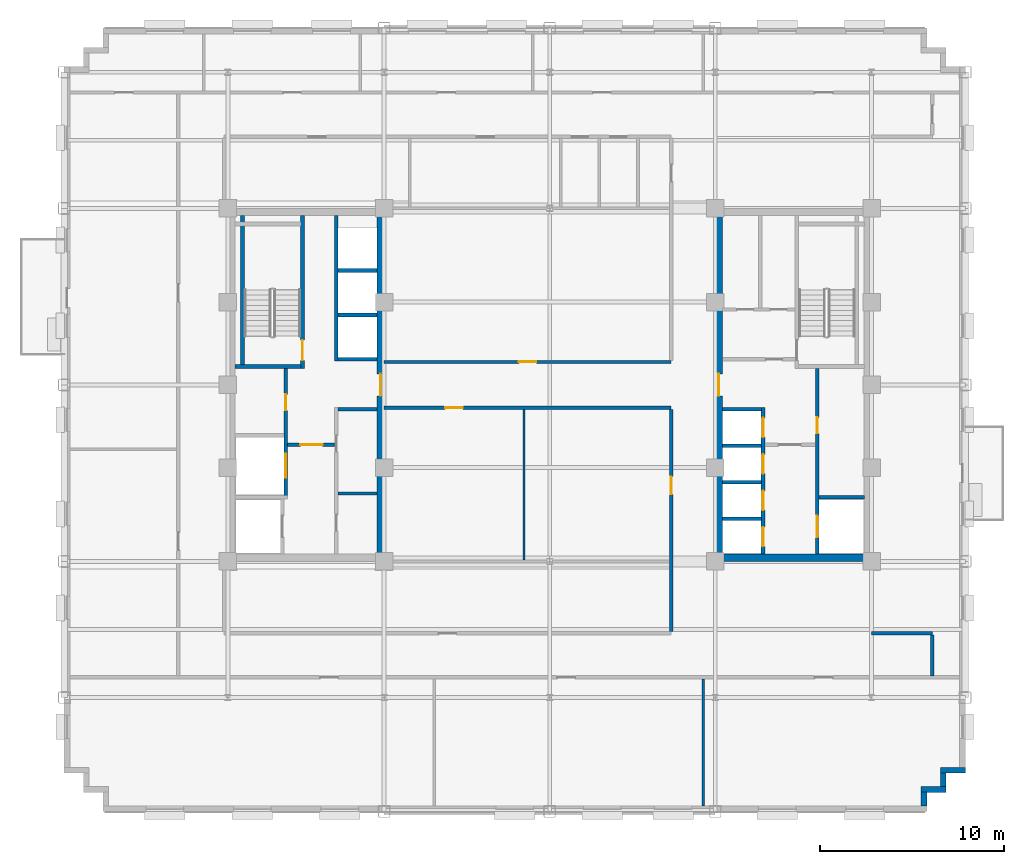
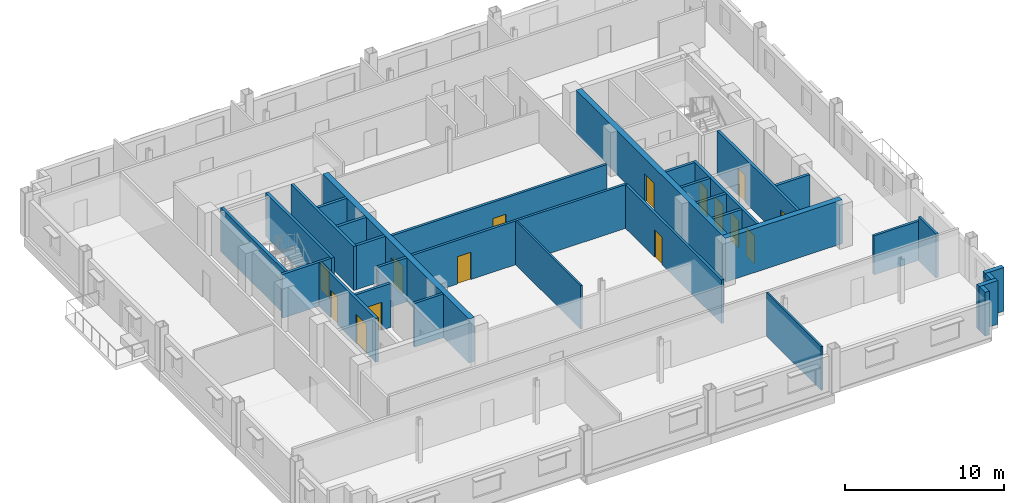
# One storey, part 8 of 14: 32 walls, 15 doors, 15 openings.
"""IFC4 building model written with IfcOpenShell, lengths in metres."""

import ifcopenshell
import ifcopenshell.guid

model = None  # the IFC model being written
_history = None  # IfcOwnerHistory: only IFC2X3 demands one
_inside = {}  # id of a spatial element -> (the spatial element, [elements in it])
_under = {}  # id of a project, library or spatial element -> (it, [spatial elements below it])
_declared = {}  # id of a project -> (the project, [libraries it declares])
_typed = {}  # id of a type object -> (the type object, [elements of that type])
_made_of = {}  # id of a material, layer set ... -> (it, [elements and type objects made of it])


def new_model(schema):
    """Start an empty IFC model of exactly this schema.

    Asked for "IFC4X3", IfcOpenShell would pick the latest addendum, in which some entities
    have other attributes; the version numbers below select the first issue.
    IFC2X3 requires an IfcOwnerHistory on every rooted entity: one is made here for all.
    """
    global model, _history
    if schema == "IFC4X3":
        model = ifcopenshell.file(schema_version=(4, 3, 0, 0))
    else:
        model = ifcopenshell.file(schema=schema)
    _inside.clear()
    _under.clear()
    _declared.clear()
    _typed.clear()
    _made_of.clear()
    _history = None
    if model.schema == "IFC2X3":
        org = make("IfcOrganization", Name="unknown")
        user = make(
            "IfcPersonAndOrganization",
            ThePerson=make("IfcPerson", FamilyName="unknown"),
            TheOrganization=org,
        )
        app = make(
            "IfcApplication",
            ApplicationDeveloper=org,
            Version="unknown",
            ApplicationFullName="unknown",
            ApplicationIdentifier="unknown",
        )
        _history = make(
            "IfcOwnerHistory",
            OwningUser=user,
            OwningApplication=app,
            ChangeAction="ADDED",
            CreationDate=0,
        )
    return model


def make(cls, **values):
    """One entity of the class cls with the attributes given. An attribute that is None is left unset."""
    return model.create_entity(
        cls, **{name: value for name, value in values.items() if value is not None}
    )


def rooted(cls, **values):
    """An entity with a GlobalId (a new one), such as an element, a storey or a relation."""
    return make(cls, GlobalId=ifcopenshell.guid.new(), OwnerHistory=_history, **values)


def si_unit(unit_type, name, prefix=None):
    """IfcSIUnit, for example si_unit("LENGTHUNIT", "METRE", prefix="MILLI")."""
    return make("IfcSIUnit", UnitType=unit_type, Prefix=prefix, Name=name)


def assignment(units):
    """IfcUnitAssignment: the units of a project."""
    return None if units is None else make("IfcUnitAssignment", Units=units)


def point(xyz):
    """IfcCartesianPoint."""
    return None if xyz is None else make("IfcCartesianPoint", Coordinates=xyz)


def direction(xyz):
    """IfcDirection."""
    return None if xyz is None else make("IfcDirection", DirectionRatios=xyz)


def frame(location, z_axis=None, x_axis=None):
    """IfcAxis2Placement3D, a coordinate frame: its origin and axes. An axis left out is left unset."""
    return make(
        "IfcAxis2Placement3D",
        Location=point(location),
        Axis=direction(z_axis),
        RefDirection=direction(x_axis),
    )


def frame_2d(location, x_axis=None):
    """IfcAxis2Placement2D, a coordinate frame in the plane: its origin and x axis."""
    return make(
        "IfcAxis2Placement2D", Location=point(location), RefDirection=direction(x_axis)
    )


def origin():
    """The frame at (0, 0, 0) with its axes left unset."""
    return frame((0.0, 0.0, 0.0))


def place(relative_to, where):
    """IfcLocalPlacement: puts the frame where relative to a parent placement (None: the world)."""
    return make(
        "IfcLocalPlacement", PlacementRelTo=relative_to, RelativePlacement=where
    )


def context(
    kind, dimensions, precision=None, world=None, true_north=None, identifier=None
):
    """IfcGeometricRepresentationContext, for example the 3D "Model" context."""
    return make(
        "IfcGeometricRepresentationContext",
        ContextIdentifier=identifier,
        ContextType=kind,
        CoordinateSpaceDimension=dimensions,
        Precision=precision,
        WorldCoordinateSystem=world,
        TrueNorth=true_north,
    )


def subcontext(parent, identifier, kind, view, scale=None):
    """IfcGeometricRepresentationSubContext, for example "Body" below "Model"."""
    return make(
        "IfcGeometricRepresentationSubContext",
        ContextIdentifier=identifier,
        ContextType=kind,
        ParentContext=parent,
        TargetScale=scale,
        TargetView=view,
    )


def project(units=None, contexts=None):
    """IfcProject with its units and contexts."""
    return rooted(
        "IfcProject",
        Name="project",
        RepresentationContexts=contexts,
        UnitsInContext=assignment(units),
    )


def spatial(cls, under=None, at=None, **own):
    """A site, building, storey or space (cls), placed at a placement, below another one or the project."""
    s = rooted(cls, ObjectPlacement=at, **own)
    if under is not None:
        _under.setdefault(under.id(), (under, []))[1].append(s)
    return s


def profile(cls, at=None, kind="AREA", **sizes):
    """A parametric profile (cls). Its sizes go by their IFC names, for example OverallWidth=200.0."""
    return make(cls, ProfileType=kind, Position=at, **sizes)


def rectangle(**sizes):
    """IfcRectangleProfileDef."""
    return profile("IfcRectangleProfileDef", **sizes)


def extrude(swept, where, along, depth):
    """IfcExtrudedAreaSolid: the profile swept, set in the frame where, extruded along a direction by depth."""
    return make(
        "IfcExtrudedAreaSolid",
        SweptArea=swept,
        Position=where,
        ExtrudedDirection=direction(along),
        Depth=depth,
    )


def shape(context_of_items, identifier, shape_type, items):
    """IfcShapeRepresentation: the items that make up one representation, for example the "Body"."""
    return make(
        "IfcShapeRepresentation",
        ContextOfItems=context_of_items,
        RepresentationIdentifier=identifier,
        RepresentationType=shape_type,
        Items=items,
    )


def source(mapping_origin, context_of_items, identifier, shape_type, items):
    """IfcRepresentationMap: a shape defined once, which mapped items show again and again."""
    return make(
        "IfcRepresentationMap",
        MappingOrigin=mapping_origin,
        MappedRepresentation=shape(context_of_items, identifier, shape_type, items),
    )


def transform(
    local_origin,
    x_axis=None,
    y_axis=None,
    z_axis=None,
    scale=None,
    scale2=None,
    scale3=None,
    uniform=True,
):
    """IfcCartesianTransformationOperator3D, or its non-uniform kind. x_axis, y_axis, z_axis: its Axis1, 2, 3."""
    if uniform:
        return make(
            "IfcCartesianTransformationOperator3D",
            Axis1=direction(x_axis),
            Axis2=direction(y_axis),
            LocalOrigin=point(local_origin),
            Scale=scale,
            Axis3=direction(z_axis),
        )
    return make(
        "IfcCartesianTransformationOperator3DnonUniform",
        Axis1=direction(x_axis),
        Axis2=direction(y_axis),
        LocalOrigin=point(local_origin),
        Scale=scale,
        Axis3=direction(z_axis),
        Scale2=scale2,
        Scale3=scale3,
    )


def mapped(mapping_source, mapping_target):
    """IfcMappedItem: shows the shape of a source again, moved by a transform."""
    return make(
        "IfcMappedItem", MappingSource=mapping_source, MappingTarget=mapping_target
    )


def material(Name=None, Category=None):
    """IfcMaterial."""
    return make("IfcMaterial", Name=Name, Category=Category)


def layer(
    of_material, thickness, ventilated=None, Name=None, Category=None, Priority=None
):
    """IfcMaterialLayer: one layer of a wall or slab, of a material (None: an air gap)."""
    return make(
        "IfcMaterialLayer",
        Material=of_material,
        LayerThickness=thickness,
        IsVentilated=ventilated,
        Name=Name,
        Category=Category,
        Priority=Priority,
    )


def layer_set(layers, Name=None):
    """IfcMaterialLayerSet."""
    return make("IfcMaterialLayerSet", MaterialLayers=layers, LayerSetName=Name)


def made_of(thing, what):
    """Note that an element or type object is made of a material, layer set ...; save() writes the relation."""
    if what is not None:
        _made_of.setdefault(what.id(), (what, []))[1].append(thing)
    return thing


def type_object(cls, material=None, **own):
    """A type object (cls), such as IfcWallType, which elements share."""
    return made_of(rooted(cls, **own), material)


def type_shapes(of_type, sources):
    """Give a type object the sources (RepresentationMaps) that its elements show as mapped items."""
    of_type.RepresentationMaps = sources


def element(
    cls,
    number,
    at=None,
    inside=None,
    cuts=None,
    type_object=None,
    material=None,
    context=None,
    identifier="Body",
    shape_type=None,
    held_by="IfcProductDefinitionShape",
    body=None,
    shapes=None,
    **own,
):
    """One element of the class cls, such as IfcWall. Its Tag is "e" and its number.

    at: its placement. inside: the storey or other place that contains it. cuts: it is an
    opening in that element (IfcRelVoidsElement). A single representation is given by context,
    identifier, shape_type and body (its items); several are given by shapes. held_by: the class
    of the entity that holds the representations. save() writes the other relations.
    """
    e = rooted(cls, Tag="e%d" % number, ObjectPlacement=at, **own)
    if body is not None:
        shapes = [shape(context, identifier, shape_type, body)]
    if shapes is not None:
        e.Representation = make(held_by, Representations=shapes)
    if inside is not None:
        _inside.setdefault(inside.id(), (inside, []))[1].append(e)
    if cuts is not None:
        rooted(
            "IfcRelVoidsElement", RelatingBuildingElement=cuts, RelatedOpeningElement=e
        )
    if type_object is not None:
        _typed.setdefault(type_object.id(), (type_object, []))[1].append(e)
    return made_of(e, material)


def fill(opening, filler):
    """IfcRelFillsElement: the door or window that sits in an opening."""
    return rooted(
        "IfcRelFillsElement",
        RelatingOpeningElement=opening,
        RelatedBuildingElement=filler,
    )


def aggregate(whole, parts):
    """IfcRelAggregates: a whole, such as a stair, and the parts it consists of."""
    return rooted("IfcRelAggregates", RelatingObject=whole, RelatedObjects=parts)


def save(model, path):
    """Write the relations noted so far, then the file.

    IfcRelAggregates (storeys below a building ...), IfcRelContainedInSpatialStructure (elements
    in a storey), IfcRelDefinesByType, IfcRelAssociatesMaterial and IfcRelDeclares: one each for
    every whole, place, type object, material and project.
    """
    for whole, parts in _under.values():
        aggregate(whole, parts)
    for where, things in _inside.values():
        rooted(
            "IfcRelContainedInSpatialStructure",
            RelatedElements=things,
            RelatingStructure=where,
        )
    for kind, things in _typed.values():
        rooted("IfcRelDefinesByType", RelatedObjects=things, RelatingType=kind)
    for what, things in _made_of.values():
        rooted("IfcRelAssociatesMaterial", RelatedObjects=things, RelatingMaterial=what)
    for by, libraries in _declared.values():
        rooted("IfcRelDeclares", RelatingContext=by, RelatedDefinitions=libraries)
    model.write(path)


model = new_model("IFC4")

# Units and contexts
model_context = context("Model", 3, precision=1e-05, world=origin(), true_north=direction((0.0, 1.0)))
body_context = subcontext(model_context, "Body", "Model", "MODEL_VIEW")
ifc_project = project(units=[si_unit("LENGTHUNIT", "METRE"), si_unit("AREAUNIT", "SQUARE_METRE"), si_unit("VOLUMEUNIT", "CUBIC_METRE"), si_unit("PLANEANGLEUNIT", "RADIAN"), si_unit("MASSUNIT", "GRAM", prefix="KILO")], contexts=[model_context])

# Site, building, storey
site_placement = place(None, origin())
site = spatial("IfcSite", under=ifc_project, at=site_placement, CompositionType="ELEMENT")
building_placement = place(site_placement, origin())
building = spatial("IfcBuilding", under=site, at=building_placement, Name="Nuvemarco Arch Tower", CompositionType="ELEMENT")
storey_placement = place(building_placement, frame((0.0, 0.0, 171.300048828125)))
storey = spatial("IfcBuildingStorey", under=building, at=storey_placement, Name="L45", CompositionType="ELEMENT", Elevation=171.300048828125)

# Walls
ifc_material_1 = material(Name="Precast concrete C45/55", Category="concrete")
ifc_layer_1 = layer(ifc_material_1, 0.31005859375, Name="EW-UPP-310")
ifc_layer_set_1 = layer_set([ifc_layer_1], Name="Precast concrete C45/55")
wall_type_1 = type_object("IfcWallType", Name="EW-UPP-310", PredefinedType="STANDARD", material=ifc_layer_set_1)
wall_1_placement = place(storey_placement, frame((20.344970703125, -22.89404296875, 0.0), z_axis=(0.0, 0.0, 1.0), x_axis=(0.0, 1.0, 0.0)))
element("IfcWall", 1, at=wall_1_placement, inside=storey, type_object=wall_type_1, Name="L45 exterior precast facade wall 2", PredefinedType="STANDARD", context=body_context, shape_type="SweptSolid", body=[
    extrude(rectangle(XDim=0.748046875, YDim=0.31005859375, at=frame_2d((0.3740234375, 0.0))), origin(), (0.0, 0.0, 1.0), 3.35986328125),
])
wall_2_placement = place(storey_placement, frame((20.18994140625, -21.9951171875, 0.0), z_axis=(0.0, 0.0, 1.0), x_axis=(1.0, 0.0, 0.0)))
element("IfcWall", 2, at=wall_2_placement, inside=storey, type_object=wall_type_1, Name="L45 exterior precast facade wall 3", PredefinedType="STANDARD", context=body_context, shape_type="SweptSolid", body=[
    extrude(rectangle(XDim=1.360107421875, YDim=0.31005859375, at=frame_2d((0.68017578125, 0.0))), origin(), (0.0, 0.0, 1.0), 3.35986328125),
])
wall_3_placement = place(storey_placement, frame((21.39501953125, -21.843994140625, 0.0), z_axis=(0.0, 0.0, 1.0), x_axis=(0.0, 1.0, 0.0)))
element("IfcWall", 3, at=wall_3_placement, inside=storey, type_object=wall_type_1, Name="L45 exterior precast facade wall 4", PredefinedType="STANDARD", context=body_context, shape_type="SweptSolid", body=[
    extrude(rectangle(XDim=0.748046875, YDim=0.31005859375, at=frame_2d((0.3740234375, 0.0))), origin(), (0.0, 0.0, 1.0), 3.35986328125),
])
wall_4_placement = place(storey_placement, frame((21.239990234375, -20.945068359375, 0.0), z_axis=(0.0, 0.0, 1.0), x_axis=(1.0, 0.0, 0.0)))
element("IfcWall", 4, at=wall_4_placement, inside=storey, type_object=wall_type_1, Name="L45 exterior precast facade wall 5", PredefinedType="STANDARD", context=body_context, shape_type="SweptSolid", body=[
    extrude(rectangle(XDim=1.360107421875, YDim=0.31005859375, at=frame_2d((0.68017578125, 0.0))), origin(), (0.0, 0.0, 1.0), 3.35986328125),
])

# Wall, opening, door
ifc_material_2 = material(Name="Concrete C60/75", Category="concrete")
ifc_layer_2 = layer(ifc_material_2, 0.39990234375, Name="WL-CORE-400")
ifc_layer_set_2 = layer_set([ifc_layer_2], Name="Concrete C60/75")
wall_type_2 = type_object("IfcWallType", Name="WL-CORE-400", PredefinedType="SHEAR", material=ifc_layer_set_2)
wall_5_placement = place(storey_placement, frame((-9.199951171875, -9.205078125, 0.0), z_axis=(0.0, 0.0, 1.0), x_axis=(0.0, 1.0, 0.0)))
wall_5 = element("IfcWall", 5, at=wall_5_placement, inside=storey, type_object=wall_type_2, Name="L45 W-core shear wall E", PredefinedType="SHEAR", context=body_context, shape_type="SweptSolid", body=[
    extrude(rectangle(XDim=18.41015625, YDim=0.39990234375, at=frame_2d((9.205078125, 0.0))), origin(), (0.0, 0.0, 1.0), 3.369873046875),
])
opening_1_placement = place(wall_5_placement, frame((8.60498046875, 0.0, 0.0)))
opening_1 = element("IfcOpeningElement", 6, at=opening_1_placement, cuts=wall_5, Name="Opening FD-2", PredefinedType="OPENING", context=body_context, shape_type="SweptSolid", body=[
    extrude(rectangle(XDim=1.199951171875, YDim=2.14990234375, at=frame_2d((0.60009765625, 1.074951171875))), frame((0.0, 0.2099609375, 0.0), z_axis=(0.0, -1.0, 0.0), x_axis=(1.0, 0.0, 0.0)), (0.0, 0.0, 1.0), 0.419921875),
])
ifc_material_3 = material(Name="Anodised steel fire door", Category="steel")
door_type_1 = type_object("IfcDoorType", Name="DR-FFLOB-FD", OperationType="NOTDEFINED", PredefinedType="DOOR", material=ifc_material_3)
shared_shape_1 = source(origin(), body_context, "Body", "SweptSolid", [
    extrude(rectangle(XDim=1.199951171875, YDim=2.14990234375, at=frame_2d((0.60009765625, 1.074951171875))), frame((0.0, 0.02490234375, 0.0), z_axis=(0.0, -1.0, 0.0), x_axis=(1.0, 0.0, 0.0)), (0.0, 0.0, 1.0), 0.050048828125),
])
type_shapes(door_type_1, [shared_shape_1])
door_1_placement = place(opening_1_placement, origin())
door_1 = element("IfcDoor", 7, at=door_1_placement, inside=storey, type_object=door_type_1, Name="L45 door FD-L45-WCORE-E", OperationType="SINGLE_SWING_RIGHT", OverallHeight=2.14990234375, OverallWidth=1.199951171875, PredefinedType="DOOR", context=body_context, shape_type="MappedRepresentation", body=[
    mapped(shared_shape_1, transform((0.0, 0.0, 0.0), scale=1.0)),
])
fill(opening_1, door_1)

# Wall
wall_6_placement = place(storey_placement, frame((9.0, -9.39990234375, 0.0), z_axis=(0.0, 0.0, 1.0), x_axis=(1.0, 0.0, 0.0)))
element("IfcWall", 8, at=wall_6_placement, inside=storey, type_object=wall_type_2, Name="L45 E-core shear wall S", PredefinedType="SHEAR", context=body_context, shape_type="SweptSolid", body=[
    extrude(rectangle(XDim=8.5, YDim=0.39990234375, at=frame_2d((4.25, 0.0))), origin(), (0.0, 0.0, 1.0), 3.369873046875),
])

# Wall, opening, door
wall_7_placement = place(storey_placement, frame((9.199951171875, -9.205078125, 0.0), z_axis=(0.0, 0.0, 1.0), x_axis=(0.0, 1.0, 0.0)))
wall_7 = element("IfcWall", 9, at=wall_7_placement, inside=storey, type_object=wall_type_2, Name="L45 E-core shear wall W", PredefinedType="SHEAR", context=body_context, shape_type="SweptSolid", body=[
    extrude(rectangle(XDim=18.41015625, YDim=0.39990234375, at=frame_2d((9.205078125, 0.0))), origin(), (0.0, 0.0, 1.0), 3.369873046875),
])
opening_2_placement = place(wall_7_placement, frame((8.60498046875, 0.0, 0.0)))
opening_2 = element("IfcOpeningElement", 10, at=opening_2_placement, cuts=wall_7, Name="Opening FD-2", PredefinedType="OPENING", context=body_context, shape_type="SweptSolid", body=[
    extrude(rectangle(XDim=1.199951171875, YDim=2.14990234375, at=frame_2d((0.60009765625, 1.074951171875))), frame((0.0, 0.2099609375, 0.0), z_axis=(0.0, -1.0, 0.0), x_axis=(1.0, 0.0, 0.0)), (0.0, 0.0, 1.0), 0.419921875),
])
door_2_placement = place(opening_2_placement, origin())
door_2 = element("IfcDoor", 11, at=door_2_placement, inside=storey, type_object=door_type_1, Name="L45 door FD-L45-ECORE-W", OperationType="SINGLE_SWING_LEFT", OverallHeight=2.14990234375, OverallWidth=1.199951171875, PredefinedType="DOOR", context=body_context, shape_type="MappedRepresentation", body=[
    mapped(shared_shape_1, transform((0.0, 0.0, 0.0), scale=1.0)),
])
fill(opening_2, door_2)

# Walls
ifc_material_4 = material(Name="Fire-rated gypsum drywall partition")
ifc_layer_3 = layer(ifc_material_4, 0.179931640625, Name="WL-CORR-180")
ifc_layer_set_3 = layer_set([ifc_layer_3], Name="Fire-rated gypsum drywall partition")
wall_type_3 = type_object("IfcWallType", Name="WL-CORR-180", PredefinedType="PARTITIONING", material=ifc_layer_set_3)
wall_8_placement = place(storey_placement, frame((-11.5048828125, -5.89990234375, 0.0), z_axis=(0.0, 0.0, 1.0), x_axis=(1.0, 0.0, 0.0)))
element("IfcWall", 12, at=wall_8_placement, inside=storey, type_object=wall_type_3, Name="L45 interior wall IW-L45-W-RECK3", PredefinedType="PARTITIONING", context=body_context, shape_type="SweptSolid", body=[
    extrude(rectangle(XDim=2.10986328125, YDim=0.179931640625, at=frame_2d((1.054931640625, 0.0))), origin(), (0.0, 0.0, 1.0), 3.35986328125),
])
wall_9_placement = place(storey_placement, frame((17.5, -13.5, 0.0), z_axis=(0.0, 0.0, 1.0), x_axis=(1.0, 0.0, 0.0)))
element("IfcWall", 13, at=wall_9_placement, inside=storey, type_object=wall_type_3, Name="L45 interior wall IW-L45-003", PredefinedType="PARTITIONING", context=body_context, shape_type="SweptSolid", body=[
    extrude(rectangle(XDim=3.300048828125, YDim=0.179931640625, at=frame_2d((1.64990234375, 0.0))), origin(), (0.0, 0.0, 1.0), 3.008056640625),
])

# Wall, opening, door
wall_10_placement = place(storey_placement, frame((-9.0, -1.25, 0.0), z_axis=(0.0, 0.0, 1.0), x_axis=(1.0, 0.0, 0.0)))
wall_10 = element("IfcWall", 14, at=wall_10_placement, inside=storey, type_object=wall_type_3, Name="L45 interior wall IW-L45-007", PredefinedType="PARTITIONING", context=body_context, shape_type="SweptSolid", body=[
    extrude(rectangle(XDim=15.60009765625, YDim=0.179931640625, at=frame_2d((7.800048828125, 0.0))), origin(), (0.0, 0.0, 1.0), 3.35986328125),
])
opening_3_placement = place(wall_10_placement, frame((3.320068359375, 0.0, 0.0)))
opening_3 = element("IfcOpeningElement", 15, at=opening_3_placement, cuts=wall_10, Name="Opening FD-5", PredefinedType="OPENING", context=body_context, shape_type="SweptSolid", body=[
    extrude(rectangle(XDim=0.9599609375, YDim=2.10009765625, at=frame_2d((0.47998046875, 1.050048828125))), frame((0.0, 0.099853515625, 0.0), z_axis=(0.0, -1.0, 0.0), x_axis=(1.0, 0.0, 0.0)), (0.0, 0.0, 1.0), 0.199951171875),
])
ifc_material_5 = material(Name="Timber fire door", Category="wood")
door_type_2 = type_object("IfcDoorType", Name="DR-CORR-FD", OperationType="NOTDEFINED", PredefinedType="DOOR", material=ifc_material_5)
shared_shape_2 = source(origin(), body_context, "Body", "SweptSolid", [
    extrude(rectangle(XDim=0.9599609375, YDim=2.10009765625, at=frame_2d((0.47998046875, 1.050048828125))), frame((0.0, 0.02490234375, 0.0), z_axis=(0.0, -1.0, 0.0), x_axis=(1.0, 0.0, 0.0)), (0.0, 0.0, 1.0), 0.050048828125),
])
type_shapes(door_type_2, [shared_shape_2])
door_3_placement = place(opening_3_placement, origin())
door_3 = element("IfcDoor", 16, at=door_3_placement, inside=storey, type_object=door_type_2, Name="L45 door DR-L45-C_S1", OperationType="SINGLE_SWING_LEFT", OverallHeight=2.10009765625, OverallWidth=0.9599609375, PredefinedType="DOOR", context=body_context, shape_type="MappedRepresentation", body=[
    mapped(shared_shape_2, transform((0.0, 0.0, 0.0), scale=1.0)),
])
fill(opening_3, door_3)

wall_11_placement = place(storey_placement, frame((-9.0, 1.25, 0.0), z_axis=(0.0, 0.0, 1.0), x_axis=(1.0, 0.0, 0.0)))
wall_11 = element("IfcWall", 17, at=wall_11_placement, inside=storey, type_object=wall_type_3, Name="L45 interior wall IW-L45-008", PredefinedType="PARTITIONING", context=body_context, shape_type="SweptSolid", body=[
    extrude(rectangle(XDim=15.60009765625, YDim=0.179931640625, at=frame_2d((7.800048828125, 0.0))), origin(), (0.0, 0.0, 1.0), 3.35986328125),
])
opening_4_placement = place(wall_11_placement, frame((7.320068359375, 0.0, 0.0)))
opening_4 = element("IfcOpeningElement", 18, at=opening_4_placement, cuts=wall_11, Name="Opening FD-5", PredefinedType="OPENING", context=body_context, shape_type="SweptSolid", body=[
    extrude(rectangle(XDim=0.9599609375, YDim=2.10009765625, at=frame_2d((0.47998046875, 1.050048828125))), frame((0.0, 0.099853515625, 0.0), z_axis=(0.0, -1.0, 0.0), x_axis=(1.0, 0.0, 0.0)), (0.0, 0.0, 1.0), 0.199951171875),
])
door_4_placement = place(opening_4_placement, origin())
door_4 = element("IfcDoor", 19, at=door_4_placement, inside=storey, type_object=door_type_2, Name="L45 door DR-L45-C_N1", OperationType="SINGLE_SWING_LEFT", OverallHeight=2.10009765625, OverallWidth=0.9599609375, PredefinedType="DOOR", context=body_context, shape_type="MappedRepresentation", body=[
    mapped(shared_shape_2, transform((0.0, 0.0, 0.0), scale=1.0)),
])
fill(opening_4, door_4)

wall_12_placement = place(storey_placement, frame((6.60009765625, -13.4140625, 0.0), z_axis=(0.0, 0.0, 1.0), x_axis=(0.0, 1.0, 0.0)))
wall_12 = element("IfcWall", 20, at=wall_12_placement, inside=storey, type_object=wall_type_3, Name="L45 interior wall IW-L45-026", PredefinedType="PARTITIONING", context=body_context, shape_type="SweptSolid", body=[
    extrude(rectangle(XDim=12.078125, YDim=0.179931640625, at=frame_2d((6.0390625, 0.0))), origin(), (0.0, 0.0, 1.0), 3.35986328125),
])
opening_5_placement = place(wall_12_placement, frame((7.466064453125, 0.0, 0.0)))
opening_5 = element("IfcOpeningElement", 21, at=opening_5_placement, cuts=wall_12, Name="Opening FD-5", PredefinedType="OPENING", context=body_context, shape_type="SweptSolid", body=[
    extrude(rectangle(XDim=0.9599609375, YDim=2.10009765625, at=frame_2d((0.47998046875, 1.050048828125))), frame((0.0, 0.099853515625, 0.0), z_axis=(0.0, -1.0, 0.0), x_axis=(1.0, 0.0, 0.0)), (0.0, 0.0, 1.0), 0.199951171875),
])
door_5_placement = place(opening_5_placement, origin())
door_5 = element("IfcDoor", 22, at=door_5_placement, inside=storey, type_object=door_type_2, Name="L45 door DR-L45-C_S2", OperationType="SINGLE_SWING_LEFT", OverallHeight=2.10009765625, OverallWidth=0.9599609375, PredefinedType="DOOR", context=body_context, shape_type="MappedRepresentation", body=[
    mapped(shared_shape_2, transform((0.0, 0.0, 0.0), scale=1.0)),
])
fill(opening_5, door_5)

# Walls
wall_13_placement = place(storey_placement, frame((20.800048828125, -15.81396484375, 0.0), z_axis=(0.0, 0.0, 1.0), x_axis=(0.0, 1.0, 0.0)))
element("IfcWall", 23, at=wall_13_placement, inside=storey, type_object=wall_type_3, Name="L45 interior wall IW-L45-030", PredefinedType="PARTITIONING", context=body_context, shape_type="SweptSolid", body=[
    extrude(rectangle(XDim=2.22802734375, YDim=0.179931640625, at=frame_2d((1.114013671875, 0.0))), origin(), (0.0, 0.0, 1.0), 3.35986328125),
])
ifc_material_6 = material(Name="Glazed acoustic office partition")
ifc_layer_4 = layer(ifc_material_6, 0.1298828125, Name="WL-EXEC-130")
ifc_layer_set_4 = layer_set([ifc_layer_4], Name="Glazed acoustic office partition")
wall_type_4 = type_object("IfcWallType", Name="WL-EXEC-130", PredefinedType="PARTITIONING", material=ifc_layer_set_4)
wall_14_placement = place(storey_placement, frame((-1.39990234375, -9.52392578125, 0.0), z_axis=(0.0, 0.0, 1.0), x_axis=(0.0, 1.0, 0.0)))
element("IfcWall", 24, at=wall_14_placement, inside=storey, type_object=wall_type_4, Name="L45 interior wall IW-L45-021", PredefinedType="PARTITIONING", context=body_context, shape_type="SweptSolid", body=[
    extrude(rectangle(XDim=8.18798828125, YDim=0.1298828125, at=frame_2d((4.093994140625, 0.0))), origin(), (0.0, 0.0, 1.0), 3.35986328125),
])
wall_15_placement = place(storey_placement, frame((8.35009765625, -22.889892578125, 0.0), z_axis=(0.0, 0.0, 1.0), x_axis=(0.0, 1.0, 0.0)))
element("IfcWall", 25, at=wall_15_placement, inside=storey, type_object=wall_type_4, Name="L45 interior wall IW-L45-028", PredefinedType="PARTITIONING", context=body_context, shape_type="SweptSolid", body=[
    extrude(rectangle(XDim=6.90380859375, YDim=0.1298828125, at=frame_2d((3.451904296875, 0.0))), origin(), (0.0, 0.0, 1.0), 3.35986328125),
])

# Wall, opening, door
ifc_material_7 = material(Name="Concrete C50/60", Category="concrete")
ifc_layer_5 = layer(ifc_material_7, 0.199951171875, Name="WL-SHAFT-220")
ifc_layer_set_5 = layer_set([ifc_layer_5], Name="Concrete C50/60")
wall_type_5 = type_object("IfcWallType", Name="WL-SHAFT-220", PredefinedType="SHEAR", material=ifc_layer_set_5)
wall_16_placement = place(storey_placement, frame((-13.43994140625, 0.89990234375, 0.0), z_axis=(0.0, 0.0, 1.0), x_axis=(0.0, 1.0, 0.0)))
wall_16 = element("IfcWall", 26, at=wall_16_placement, inside=storey, type_object=wall_type_5, Name="L45 structural shaft wall SW-L45-W-ST1E", PredefinedType="SHEAR", context=body_context, shape_type="SweptSolid", body=[
    extrude(rectangle(XDim=8.30517578125, YDim=0.199951171875, at=frame_2d((4.152587890625, 0.0))), origin(), (0.0, 0.0, 1.0), 3.369873046875),
])
opening_6_placement = place(wall_16_placement, frame((1.530029296875, 0.0, 0.0), z_axis=(0.0, 0.0, 1.0), x_axis=(-1.0, 0.0, 0.0)))
opening_6 = element("IfcOpeningElement", 27, at=opening_6_placement, cuts=wall_16, Name="Opening FD-1", PredefinedType="OPENING", context=body_context, shape_type="SweptSolid", body=[
    extrude(rectangle(XDim=1.10009765625, YDim=2.14990234375, at=frame_2d((0.550048828125, 1.074951171875))), frame((0.0, 0.10986328125, 0.0), z_axis=(0.0, -1.0, 0.0), x_axis=(1.0, 0.0, 0.0)), (0.0, 0.0, 1.0), 0.219970703125),
])
door_type_3 = type_object("IfcDoorType", Name="DR-STAIR-FD", OperationType="NOTDEFINED", PredefinedType="DOOR", material=ifc_material_3)
shared_shape_3 = source(origin(), body_context, "Body", "SweptSolid", [
    extrude(rectangle(XDim=1.10009765625, YDim=2.14990234375, at=frame_2d((0.550048828125, 1.074951171875))), frame((0.0, 0.02490234375, 0.0), z_axis=(0.0, -1.0, 0.0), x_axis=(1.0, 0.0, 0.0)), (0.0, 0.0, 1.0), 0.050048828125),
])
type_shapes(door_type_3, [shared_shape_3])
door_6_placement = place(opening_6_placement, origin())
door_6 = element("IfcDoor", 28, at=door_6_placement, inside=storey, type_object=door_type_3, Name="L45 door FD-L45-ST1", OperationType="SINGLE_SWING_RIGHT", OverallHeight=2.14990234375, OverallWidth=1.10009765625, PredefinedType="DOOR", context=body_context, shape_type="MappedRepresentation", body=[
    mapped(shared_shape_3, transform((0.0, 0.0, 0.0), scale=1.0)),
])
fill(opening_6, door_6)

# Walls
wall_17_placement = place(storey_placement, frame((-17.10498046875, 1.0, 0.0), z_axis=(0.0, 0.0, 1.0), x_axis=(1.0, 0.0, 0.0)))
element("IfcWall", 29, at=wall_17_placement, inside=storey, type_object=wall_type_5, Name="L45 structural shaft wall SW-L45-W-ST1S", PredefinedType="SHEAR", context=body_context, shape_type="SweptSolid", body=[
    extrude(rectangle(XDim=3.570068359375, YDim=0.199951171875, at=frame_2d((1.78515625, 0.0))), origin(), (0.0, 0.0, 1.0), 3.369873046875),
])
wall_18_placement = place(storey_placement, frame((-16.699951171875, 1.094970703125, 0.0), z_axis=(0.0, 0.0, 1.0), x_axis=(0.0, 1.0, 0.0)))
element("IfcWall", 30, at=wall_18_placement, inside=storey, type_object=wall_type_5, Name="L45 structural shaft wall SW-L45-W-ST1W", PredefinedType="SHEAR", context=body_context, shape_type="SweptSolid", body=[
    extrude(rectangle(XDim=8.110107421875, YDim=0.199951171875, at=frame_2d((4.05517578125, 0.0))), origin(), (0.0, 0.0, 1.0), 3.369873046875),
])

# Wall, openings, doors
wall_19_placement = place(storey_placement, frame((-14.35009765625, -6.199951171875, 0.0), z_axis=(0.0, 0.0, 1.0), x_axis=(0.0, 1.0, 0.0)))
wall_19 = element("IfcWall", 31, at=wall_19_placement, inside=storey, type_object=wall_type_5, Name="L45 structural shaft wall SW-L45-W-SVE", PredefinedType="SHEAR", context=body_context, shape_type="SweptSolid", body=[
    extrude(rectangle(XDim=7.10498046875, YDim=0.199951171875, at=frame_2d((3.552490234375, 0.0))), origin(), (0.0, 0.0, 1.0), 3.369873046875),
])
opening_7_placement = place(wall_19_placement, frame((5.68994140625, 0.0, 0.0), z_axis=(0.0, 0.0, 1.0), x_axis=(-1.0, 0.0, 0.0)))
opening_7 = element("IfcOpeningElement", 32, at=opening_7_placement, cuts=wall_19, Name="Opening FD-4", PredefinedType="OPENING", context=body_context, shape_type="SweptSolid", body=[
    extrude(rectangle(XDim=0.8798828125, YDim=2.10009765625, at=frame_2d((0.43994140625, 1.050048828125))), frame((0.0, 0.10986328125, 0.0), z_axis=(0.0, -1.0, 0.0), x_axis=(1.0, 0.0, 0.0)), (0.0, 0.0, 1.0), 0.219970703125),
])
opening_8_placement = place(wall_19_placement, frame((1.14990234375, 0.0, 0.0)))
opening_8 = element("IfcOpeningElement", 33, at=opening_8_placement, cuts=wall_19, Name="Opening LD-3", PredefinedType="OPENING", context=body_context, shape_type="SweptSolid", body=[
    extrude(rectangle(XDim=1.300048828125, YDim=2.199951171875, at=frame_2d((0.64990234375, 1.10009765625))), frame((0.0, 0.10986328125, 0.0), z_axis=(0.0, -1.0, 0.0), x_axis=(1.0, 0.0, 0.0)), (0.0, 0.0, 1.0), 0.219970703125),
])
door_type_4 = type_object("IfcDoorType", Name="DR-RISER-FD", OperationType="NOTDEFINED", PredefinedType="DOOR", material=ifc_material_3)
shared_shape_4 = source(origin(), body_context, "Body", "SweptSolid", [
    extrude(rectangle(XDim=0.8798828125, YDim=2.10009765625, at=frame_2d((0.43994140625, 1.050048828125))), frame((0.0, 0.02490234375, 0.0), z_axis=(0.0, -1.0, 0.0), x_axis=(1.0, 0.0, 0.0)), (0.0, 0.0, 1.0), 0.050048828125),
])
type_shapes(door_type_4, [shared_shape_4])
door_7_placement = place(opening_7_placement, origin())
door_7 = element("IfcDoor", 34, at=door_7_placement, inside=storey, type_object=door_type_4, Name="L45 door FD-L45-WRIS", OperationType="SINGLE_SWING_RIGHT", OverallHeight=2.10009765625, OverallWidth=0.8798828125, PredefinedType="DOOR", context=body_context, shape_type="MappedRepresentation", body=[
    mapped(shared_shape_4, transform((0.0, 0.0, 0.0), scale=1.0)),
])
fill(opening_7, door_7)
ifc_material_8 = material(Name="Stainless steel lift door", Category="steel")
door_type_5 = type_object("IfcDoorType", Name="DR-LIFT-SERV", OperationType="DOUBLE_DOOR_SLIDING", PredefinedType="DOOR", material=ifc_material_8)
shared_shape_5 = source(origin(), body_context, "Body", "SweptSolid", [
    extrude(rectangle(XDim=1.300048828125, YDim=2.199951171875, at=frame_2d((0.64990234375, 1.10009765625))), frame((0.0, 0.02490234375, 0.0), z_axis=(0.0, -1.0, 0.0), x_axis=(1.0, 0.0, 0.0)), (0.0, 0.0, 1.0), 0.050048828125),
])
type_shapes(door_type_5, [shared_shape_5])
door_8_placement = place(opening_8_placement, origin())
door_8 = element("IfcDoor", 35, at=door_8_placement, inside=storey, type_object=door_type_5, Name="L45 Lift landing sliding door SVL-1", OperationType="DOUBLE_DOOR_SLIDING", OverallHeight=2.199951171875, OverallWidth=1.300048828125, PredefinedType="DOOR", context=body_context, shape_type="MappedRepresentation", body=[
    mapped(shared_shape_5, transform((0.0, 0.0, 0.0), scale=1.0)),
])
fill(opening_8, door_8)

# Wall, opening, door
wall_20_placement = place(storey_placement, frame((-14.2548828125, -3.25, 0.0), z_axis=(0.0, 0.0, 1.0), x_axis=(1.0, 0.0, 0.0)))
wall_20 = element("IfcWall", 36, at=wall_20_placement, inside=storey, type_object=wall_type_5, Name="L45 structural shaft wall SW-L45-W-FFN", PredefinedType="SHEAR", context=body_context, shape_type="SweptSolid", body=[
    extrude(rectangle(XDim=2.559814453125, YDim=0.199951171875, at=frame_2d((1.27978515625, 0.0))), origin(), (0.0, 0.0, 1.0), 3.369873046875),
])
opening_9_placement = place(wall_20_placement, frame((0.705078125, 0.0, 0.0)))
opening_9 = element("IfcOpeningElement", 37, at=opening_9_placement, cuts=wall_20, Name="Opening FD-2", PredefinedType="OPENING", context=body_context, shape_type="SweptSolid", body=[
    extrude(rectangle(XDim=1.199951171875, YDim=2.14990234375, at=frame_2d((0.60009765625, 1.074951171875))), frame((0.0, 0.10986328125, 0.0), z_axis=(0.0, -1.0, 0.0), x_axis=(1.0, 0.0, 0.0)), (0.0, 0.0, 1.0), 0.219970703125),
])
door_9_placement = place(opening_9_placement, origin())
door_9 = element("IfcDoor", 38, at=door_9_placement, inside=storey, type_object=door_type_1, Name="L45 door FD-L45-WFF1", OperationType="SINGLE_SWING_RIGHT", OverallHeight=2.14990234375, OverallWidth=1.199951171875, PredefinedType="DOOR", context=body_context, shape_type="MappedRepresentation", body=[
    mapped(shared_shape_1, transform((0.0, 0.0, 0.0), scale=1.0)),
])
fill(opening_9, door_9)

# Walls
wall_21_placement = place(storey_placement, frame((-11.5048828125, -1.330078125, 0.0), z_axis=(0.0, 0.0, 1.0), x_axis=(1.0, 0.0, 0.0)))
element("IfcWall", 39, at=wall_21_placement, inside=storey, type_object=wall_type_5, Name="L45 structural shaft wall SW-L45-W-PLTOP", PredefinedType="SHEAR", context=body_context, shape_type="SweptSolid", body=[
    extrude(rectangle(XDim=2.10986328125, YDim=0.199951171875, at=frame_2d((1.054931640625, 0.0))), origin(), (0.0, 0.0, 1.0), 3.369873046875),
])
wall_22_placement = place(storey_placement, frame((-11.60009765625, 1.300048828125, 0.0), z_axis=(0.0, 0.0, 1.0), x_axis=(0.0, 1.0, 0.0)))
element("IfcWall", 40, at=wall_22_placement, inside=storey, type_object=wall_type_5, Name="L45 structural shaft wall SW-L45-W-PHW", PredefinedType="SHEAR", context=body_context, shape_type="SweptSolid", body=[
    extrude(rectangle(XDim=7.905029296875, YDim=0.199951171875, at=frame_2d((3.95263671875, 0.0))), origin(), (0.0, 0.0, 1.0), 3.369873046875),
])
for number, where, z_axis, x_axis, name in (
    (41, (-11.5048828125, 1.39990234375, 0.0), (0.0, 0.0, 1.0), (1.0, 0.0, 0.0), "L45 structural shaft wall SW-L45-W-PHD1"),
    (42, (-11.5048828125, 3.800048828125, 0.0), (0.0, 0.0, 1.0), (1.0, 0.0, 0.0), "L45 structural shaft wall SW-L45-W-PHD2"),
    (43, (-11.5048828125, 6.219970703125, 0.0), (0.0, 0.0, 1.0), (1.0, 0.0, 0.0), "L45 structural shaft wall SW-L45-W-PHD3"),
):
    element("IfcWall", number, at=place(storey_placement, frame(where, z_axis=z_axis, x_axis=x_axis)), inside=storey, type_object=wall_type_5, Name=name, PredefinedType="SHEAR", context=body_context, shape_type="SweptSolid", body=[
        extrude(rectangle(XDim=2.10986328125, YDim=0.199951171875, at=frame_2d((1.054931640625, 0.0))), origin(), (0.0, 0.0, 1.0), 3.369873046875),
    ])

# Wall, openings, doors
wall_23_placement = place(storey_placement, frame((14.550048828125, -9.205078125, 0.0), z_axis=(0.0, 0.0, 1.0), x_axis=(0.0, 1.0, 0.0)))
wall_23 = element("IfcWall", 44, at=wall_23_placement, inside=storey, type_object=wall_type_5, Name="L45 structural shaft wall SW-L45-E-SHW", PredefinedType="SHEAR", context=body_context, shape_type="SweptSolid", body=[
    extrude(rectangle(XDim=10.110107421875, YDim=0.199951171875, at=frame_2d((5.05517578125, 0.0))), origin(), (0.0, 0.0, 1.0), 3.369873046875),
])
opening_10_placement = place(wall_23_placement, frame((6.56494140625, 0.0, 0.0)))
opening_10 = element("IfcOpeningElement", 45, at=opening_10_placement, cuts=wall_23, Name="Opening FD-4", PredefinedType="OPENING", context=body_context, shape_type="SweptSolid", body=[
    extrude(rectangle(XDim=0.8798828125, YDim=2.10009765625, at=frame_2d((0.43994140625, 1.050048828125))), frame((0.0, 0.10986328125, 0.0), z_axis=(0.0, -1.0, 0.0), x_axis=(1.0, 0.0, 0.0)), (0.0, 0.0, 1.0), 0.219970703125),
])
opening_11_placement = place(wall_23_placement, frame((0.929931640625, 0.0, 0.0)))
opening_11 = element("IfcOpeningElement", 46, at=opening_11_placement, cuts=wall_23, Name="Opening LD-2", PredefinedType="OPENING", context=body_context, shape_type="SweptSolid", body=[
    extrude(rectangle(XDim=1.14990234375, YDim=2.14990234375, at=frame_2d((0.574951171875, 1.074951171875))), frame((0.0, 0.10986328125, 0.0), z_axis=(0.0, -1.0, 0.0), x_axis=(1.0, 0.0, 0.0)), (0.0, 0.0, 1.0), 0.219970703125),
])
door_10_placement = place(opening_10_placement, origin())
door_10 = element("IfcDoor", 47, at=door_10_placement, inside=storey, type_object=door_type_4, Name="L45 door FD-L45-ERIS", OperationType="SINGLE_SWING_LEFT", OverallHeight=2.10009765625, OverallWidth=0.8798828125, PredefinedType="DOOR", context=body_context, shape_type="MappedRepresentation", body=[
    mapped(shared_shape_4, transform((0.0, 0.0, 0.0), scale=1.0)),
])
fill(opening_10, door_10)
door_type_6 = type_object("IfcDoorType", Name="DR-LIFT-FIRE", OperationType="DOUBLE_DOOR_SLIDING", PredefinedType="DOOR", material=ifc_material_8)
shared_shape_6 = source(origin(), body_context, "Body", "SweptSolid", [
    extrude(rectangle(XDim=1.14990234375, YDim=2.14990234375, at=frame_2d((0.574951171875, 1.074951171875))), frame((0.0, 0.02490234375, 0.0), z_axis=(0.0, -1.0, 0.0), x_axis=(1.0, 0.0, 0.0)), (0.0, 0.0, 1.0), 0.050048828125),
])
type_shapes(door_type_6, [shared_shape_6])
door_11_placement = place(opening_11_placement, origin())
door_11 = element("IfcDoor", 48, at=door_11_placement, inside=storey, type_object=door_type_6, Name="L45 Lift landing sliding door FFL-2", OperationType="DOUBLE_DOOR_SLIDING", OverallHeight=2.14990234375, OverallWidth=1.14990234375, PredefinedType="DOOR", context=body_context, shape_type="MappedRepresentation", body=[
    mapped(shared_shape_6, transform((0.0, 0.0, 0.0), scale=1.0)),
])
fill(opening_11, door_11)

# Wall
wall_24_placement = place(storey_placement, frame((14.64501953125, -6.10009765625, 0.0), z_axis=(0.0, 0.0, 1.0), x_axis=(1.0, 0.0, 0.0)))
element("IfcWall", 49, at=wall_24_placement, inside=storey, type_object=wall_type_5, Name="L45 structural shaft wall SW-L45-E-SH1", PredefinedType="SHEAR", context=body_context, shape_type="SweptSolid", body=[
    extrude(rectangle(XDim=2.4599609375, YDim=0.199951171875, at=frame_2d((1.22998046875, 0.0))), origin(), (0.0, 0.0, 1.0), 3.369873046875),
])

# Wall, openings, doors
wall_25_placement = place(storey_placement, frame((11.60009765625, -9.205078125, 0.0), z_axis=(0.0, 0.0, 1.0), x_axis=(0.0, 1.0, 0.0)))
wall_25 = element("IfcWall", 50, at=wall_25_placement, inside=storey, type_object=wall_type_5, Name="L45 structural shaft wall SW-L45-E-PME", PredefinedType="SHEAR", context=body_context, shape_type="SweptSolid", body=[
    extrude(rectangle(XDim=7.97509765625, YDim=0.199951171875, at=frame_2d((3.987548828125, 0.0))), origin(), (0.0, 0.0, 1.0), 3.369873046875),
])
opening_12_placement = place(wall_25_placement, frame((0.419921875, 0.0, 0.0)))
opening_12 = element("IfcOpeningElement", 51, at=opening_12_placement, cuts=wall_25, Name="Opening LD-1", PredefinedType="OPENING", context=body_context, shape_type="SweptSolid", body=[
    extrude(rectangle(XDim=1.050048828125, YDim=2.14990234375, at=frame_2d((0.52490234375, 1.074951171875))), frame((0.0, 0.10986328125, 0.0), z_axis=(0.0, -1.0, 0.0), x_axis=(1.0, 0.0, 0.0)), (0.0, 0.0, 1.0), 0.219970703125),
])
opening_13_placement = place(wall_25_placement, frame((2.39990234375, 0.0, 0.0)))
opening_13 = element("IfcOpeningElement", 52, at=opening_13_placement, cuts=wall_25, Name="Opening LD-1", PredefinedType="OPENING", context=body_context, shape_type="SweptSolid", body=[
    extrude(rectangle(XDim=1.050048828125, YDim=2.14990234375, at=frame_2d((0.52490234375, 1.074951171875))), frame((0.0, 0.10986328125, 0.0), z_axis=(0.0, -1.0, 0.0), x_axis=(1.0, 0.0, 0.0)), (0.0, 0.0, 1.0), 0.219970703125),
])
opening_14_placement = place(wall_25_placement, frame((4.3798828125, 0.0, 0.0)))
opening_14 = element("IfcOpeningElement", 53, at=opening_14_placement, cuts=wall_25, Name="Opening LD-1", PredefinedType="OPENING", context=body_context, shape_type="SweptSolid", body=[
    extrude(rectangle(XDim=1.050048828125, YDim=2.14990234375, at=frame_2d((0.52490234375, 1.074951171875))), frame((0.0, 0.10986328125, 0.0), z_axis=(0.0, -1.0, 0.0), x_axis=(1.0, 0.0, 0.0)), (0.0, 0.0, 1.0), 0.219970703125),
])
opening_15_placement = place(wall_25_placement, frame((6.360107421875, 0.0, 0.0)))
opening_15 = element("IfcOpeningElement", 54, at=opening_15_placement, cuts=wall_25, Name="Opening LD-1", PredefinedType="OPENING", context=body_context, shape_type="SweptSolid", body=[
    extrude(rectangle(XDim=1.050048828125, YDim=2.14990234375, at=frame_2d((0.52490234375, 1.074951171875))), frame((0.0, 0.10986328125, 0.0), z_axis=(0.0, -1.0, 0.0), x_axis=(1.0, 0.0, 0.0)), (0.0, 0.0, 1.0), 0.219970703125),
])
door_type_7 = type_object("IfcDoorType", Name="DR-LIFT-PASS", OperationType="DOUBLE_DOOR_SLIDING", PredefinedType="DOOR", material=ifc_material_8)
shared_shape_7 = source(origin(), body_context, "Body", "SweptSolid", [
    extrude(rectangle(XDim=1.050048828125, YDim=2.14990234375, at=frame_2d((0.52490234375, 1.074951171875))), frame((0.0, 0.02490234375, 0.0), z_axis=(0.0, -1.0, 0.0), x_axis=(1.0, 0.0, 0.0)), (0.0, 0.0, 1.0), 0.050048828125),
])
type_shapes(door_type_7, [shared_shape_7])
door_12_placement = place(opening_12_placement, origin())
door_12 = element("IfcDoor", 55, at=door_12_placement, inside=storey, type_object=door_type_7, Name="L45 Lift landing sliding door PM-1", OperationType="DOUBLE_DOOR_SLIDING", OverallHeight=2.14990234375, OverallWidth=1.050048828125, PredefinedType="DOOR", context=body_context, shape_type="MappedRepresentation", body=[
    mapped(shared_shape_7, transform((0.0, 0.0, 0.0), scale=1.0)),
])
fill(opening_12, door_12)
door_13_placement = place(opening_13_placement, origin())
door_13 = element("IfcDoor", 56, at=door_13_placement, inside=storey, type_object=door_type_7, Name="L45 Lift landing sliding door PM-2", OperationType="DOUBLE_DOOR_SLIDING", OverallHeight=2.14990234375, OverallWidth=1.050048828125, PredefinedType="DOOR", context=body_context, shape_type="MappedRepresentation", body=[
    mapped(shared_shape_7, transform((0.0, 0.0, 0.0), scale=1.0)),
])
fill(opening_13, door_13)
door_14_placement = place(opening_14_placement, origin())
door_14 = element("IfcDoor", 57, at=door_14_placement, inside=storey, type_object=door_type_7, Name="L45 Lift landing sliding door PM-3", OperationType="DOUBLE_DOOR_SLIDING", OverallHeight=2.14990234375, OverallWidth=1.050048828125, PredefinedType="DOOR", context=body_context, shape_type="MappedRepresentation", body=[
    mapped(shared_shape_7, transform((0.0, 0.0, 0.0), scale=1.0)),
])
fill(opening_14, door_14)
door_15_placement = place(opening_15_placement, origin())
door_15 = element("IfcDoor", 58, at=door_15_placement, inside=storey, type_object=door_type_7, Name="L45 Lift landing sliding door PM-4", OperationType="DOUBLE_DOOR_SLIDING", OverallHeight=2.14990234375, OverallWidth=1.050048828125, PredefinedType="DOOR", context=body_context, shape_type="MappedRepresentation", body=[
    mapped(shared_shape_7, transform((0.0, 0.0, 0.0), scale=1.0)),
])
fill(opening_15, door_15)

# Walls
for number, where, z_axis, x_axis, name in (
    (59, (9.39501953125, -7.27001953125, 0.0), (0.0, 0.0, 1.0), (1.0, 0.0, 0.0), "L45 structural shaft wall SW-L45-E-PMD1"),
    (60, (9.39501953125, -5.2900390625, 0.0), (0.0, 0.0, 1.0), (1.0, 0.0, 0.0), "L45 structural shaft wall SW-L45-E-PMD2"),
    (61, (9.39501953125, -3.31005859375, 0.0), (0.0, 0.0, 1.0), (1.0, 0.0, 0.0), "L45 structural shaft wall SW-L45-E-PMD3"),
    (62, (9.39501953125, -1.330078125, 0.0), (0.0, 0.0, 1.0), (1.0, 0.0, 0.0), "L45 structural shaft wall SW-L45-E-PMD4"),
):
    element("IfcWall", number, at=place(storey_placement, frame(where, z_axis=z_axis, x_axis=x_axis)), inside=storey, type_object=wall_type_5, Name=name, PredefinedType="SHEAR", context=body_context, shape_type="SweptSolid", body=[
        extrude(rectangle(XDim=2.10986328125, YDim=0.199951171875, at=frame_2d((1.054931640625, 0.0))), origin(), (0.0, 0.0, 1.0), 3.369873046875),
    ])

save(model, "model.ifc")
